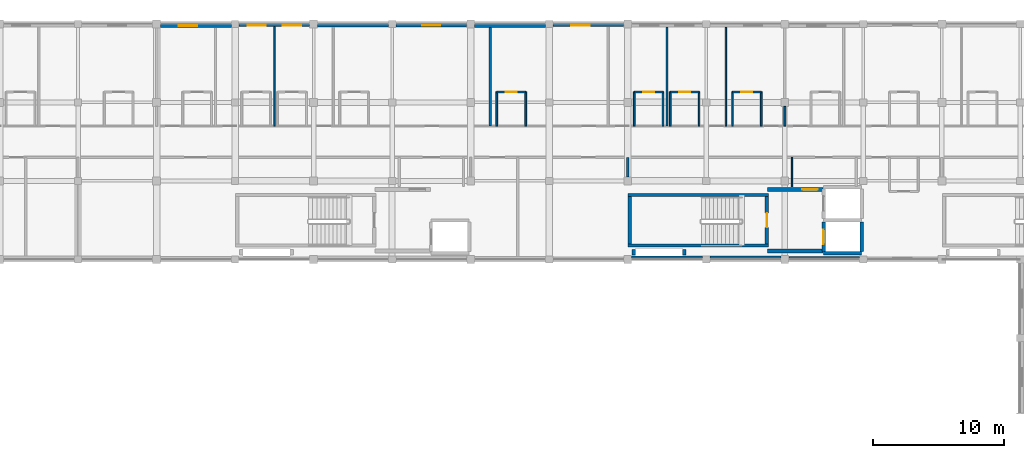
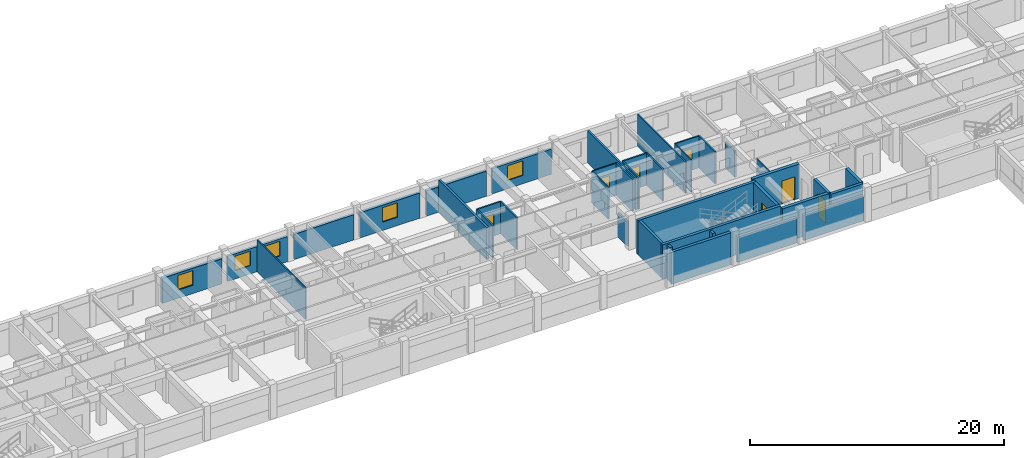
# One storey, part 13 of 21: 39 walls, 7 doors, 5 windows, 12 openings.
"""IFC4 building model written with IfcOpenShell, lengths in metres."""

from ifc_helpers import new_model, si_unit, direction, frame, frame_2d, origin, place, context, subcontext, project, spatial, rectangle, extrude, material, layer, layer_set, type_object, element, fill, save


model = new_model("IFC4")

# Units and contexts
model_context = context("Model", 3, precision=1e-05, world=origin(), true_north=direction((0.0, 1.0)))
body_context = subcontext(model_context, "Body", "Model", "MODEL_VIEW")
ifc_project = project(units=[si_unit("LENGTHUNIT", "METRE"), si_unit("AREAUNIT", "SQUARE_METRE"), si_unit("VOLUMEUNIT", "CUBIC_METRE"), si_unit("PLANEANGLEUNIT", "RADIAN"), si_unit("MASSUNIT", "GRAM", prefix="KILO"), si_unit("THERMODYNAMICTEMPERATUREUNIT", "KELVIN"), si_unit("POWERUNIT", "WATT")], contexts=[model_context])

# Site, building, storey
site_placement = place(None, origin())
site = spatial("IfcSite", under=ifc_project, at=site_placement, CompositionType="ELEMENT")
building_placement = place(site_placement, origin())
building = spatial("IfcBuilding", under=site, at=building_placement, Name="Phaisarnlok Congress Hotel", CompositionType="ELEMENT")
storey_placement = place(building_placement, frame((0.0, 0.0, 31.5)))
storey = spatial("IfcBuildingStorey", under=building, at=storey_placement, Name="L07", CompositionType="ELEMENT", Elevation=31.5)

# Wall, opening, window
ifc_material_1 = material(Name="Concrete C40/50", Category="concrete")
ifc_layer_1 = layer(ifc_material_1, 0.2099609375, Name="Concrete C40/50")
ifc_layer_set_1 = layer_set([ifc_layer_1], Name="Concrete C40/50")
wall_type_1 = type_object("IfcWallType", Name="WL-EXT-210", PredefinedType="SOLIDWALL", material=ifc_layer_set_1)
wall_1_placement = place(storey_placement, frame((131.695068359375, 125.89501953125, 0.0), z_axis=(0.0, 0.0, 1.0), x_axis=(-1.0, 0.0, 0.0)))
wall_1 = element("IfcWall", 1, at=wall_1_placement, inside=storey, type_object=wall_type_1, Name="Exterior wall EW-07 (L07)", PredefinedType="SOLIDWALL", context=body_context, shape_type="SweptSolid", body=[
    extrude(rectangle(XDim=5.4150390625, YDim=0.2099609375, at=frame_2d((2.70751953125, 0.0))), origin(), (0.0, 0.0, 1.0), 2.419921875),
])
opening_1_placement = place(wall_1_placement, frame((2.594970703125, 0.0, 0.800048828125)))
opening_1 = element("IfcOpeningElement", 2, at=opening_1_placement, cuts=wall_1, Name="Opening W-13", PredefinedType="OPENING", context=body_context, shape_type="SweptSolid", body=[
    extrude(rectangle(XDim=1.39990234375, YDim=1.39990234375, at=frame_2d((0.699951171875, 0.699951171875))), frame((0.0, 0.114990234375, 0.0), z_axis=(0.0, -1.0, 0.0), x_axis=(1.0, 0.0, 0.0)), (0.0, 0.0, 1.0), 0.22998046875),
])
ifc_material_2 = material(Name="Thermally Broken Aluminium & Low-E Double Glazing", Category="aluminium")
window_type = type_object("IfcWindowType", Name="WIN-POD-1400", PartitioningType="SINGLE_PANEL", PredefinedType="WINDOW", material=ifc_material_2)
window_1_placement = place(opening_1_placement, origin())
window_1 = element("IfcWindow", 3, at=window_1_placement, inside=storey, type_object=window_type, Name="Guestroom window W-13 (L07)", OverallHeight=1.39990234375, OverallWidth=1.39990234375, PartitioningType="SINGLE_PANEL", PredefinedType="WINDOW", context=body_context, shape_type="SweptSolid", body=[
    extrude(rectangle(XDim=1.39990234375, YDim=1.39990234375, at=frame_2d((0.699951171875, 0.699951171875))), frame((0.0, 0.030029296875, 0.0), z_axis=(0.0, -1.0, 0.0), x_axis=(1.0, 0.0, 0.0)), (0.0, 0.0, 1.0), 0.06005859375),
])
fill(opening_1, window_1)

# Wall, openings, windows
wall_2_placement = place(storey_placement, frame((107.695068359375, 125.89501953125, 0.0), z_axis=(0.0, 0.0, 1.0), x_axis=(-1.0, 0.0, 0.0)))
wall_2 = element("IfcWall", 4, at=wall_2_placement, inside=storey, type_object=wall_type_1, Name="Exterior wall EW-07 (L07)", PredefinedType="SOLIDWALL", context=body_context, shape_type="SweptSolid", body=[
    extrude(rectangle(XDim=5.4150390625, YDim=0.2099609375, at=frame_2d((2.70751953125, 0.0))), origin(), (0.0, 0.0, 1.0), 2.419921875),
])
opening_2_placement = place(wall_2_placement, frame((3.344970703125, 0.0, 0.800048828125)))
opening_2 = element("IfcOpeningElement", 5, at=opening_2_placement, cuts=wall_2, Name="Opening W-13", PredefinedType="OPENING", context=body_context, shape_type="SweptSolid", body=[
    extrude(rectangle(XDim=1.39990234375, YDim=1.39990234375, at=frame_2d((0.699951171875, 0.699951171875))), frame((0.0, 0.114990234375, 0.0), z_axis=(0.0, -1.0, 0.0), x_axis=(1.0, 0.0, 0.0)), (0.0, 0.0, 1.0), 0.22998046875),
])
opening_3_placement = place(wall_2_placement, frame((0.656982421875, 0.0, 0.800048828125)))
opening_3 = element("IfcOpeningElement", 6, at=opening_3_placement, cuts=wall_2, Name="Opening W-13", PredefinedType="OPENING", context=body_context, shape_type="SweptSolid", body=[
    extrude(rectangle(XDim=1.39990234375, YDim=1.39990234375, at=frame_2d((0.699951171875, 0.699951171875))), frame((0.0, 0.114990234375, 0.0), z_axis=(0.0, -1.0, 0.0), x_axis=(1.0, 0.0, 0.0)), (0.0, 0.0, 1.0), 0.22998046875),
])
window_2_placement = place(opening_2_placement, origin())
window_2 = element("IfcWindow", 7, at=window_2_placement, inside=storey, type_object=window_type, Name="Guestroom window W-13 (L07)", OverallHeight=1.39990234375, OverallWidth=1.39990234375, PartitioningType="SINGLE_PANEL", PredefinedType="WINDOW", context=body_context, shape_type="SweptSolid", body=[
    extrude(rectangle(XDim=1.39990234375, YDim=1.39990234375, at=frame_2d((0.699951171875, 0.699951171875))), frame((0.0, 0.030029296875, 0.0), z_axis=(0.0, -1.0, 0.0), x_axis=(1.0, 0.0, 0.0)), (0.0, 0.0, 1.0), 0.06005859375),
])
fill(opening_2, window_2)
window_3_placement = place(opening_3_placement, origin())
window_3 = element("IfcWindow", 8, at=window_3_placement, inside=storey, type_object=window_type, Name="Guestroom window W-13 (L07)", OverallHeight=1.39990234375, OverallWidth=1.39990234375, PartitioningType="SINGLE_PANEL", PredefinedType="WINDOW", context=body_context, shape_type="SweptSolid", body=[
    extrude(rectangle(XDim=1.39990234375, YDim=1.39990234375, at=frame_2d((0.699951171875, 0.699951171875))), frame((0.0, 0.030029296875, 0.0), z_axis=(0.0, -1.0, 0.0), x_axis=(1.0, 0.0, 0.0)), (0.0, 0.0, 1.0), 0.06005859375),
])
fill(opening_3, window_3)

# Walls
ifc_layer_2 = layer(ifc_material_1, 0.22998046875, Name="Concrete C40/50")
ifc_layer_set_2 = layer_set([ifc_layer_2], Name="Concrete C40/50")
wall_type_2 = type_object("IfcWallType", Name="WL-EXT-230", PredefinedType="SOLIDWALL", material=ifc_layer_set_2)
for number, where, z_axis, x_axis, name in (
    (9, (113.719970703125, 125.885009765625, 0.0), (0.0, 0.0, 1.0), (-1.0, 0.0, 0.0), "Exterior wall EW-06 (L07)"),
    (10, (144.304931640625, 108.114990234375, 0.0), (0.0, 0.0, 1.0), (1.0, 0.0, 0.0), "Exterior wall EW-06 (L07)"),
):
    element("IfcWall", number, at=place(storey_placement, frame(where, z_axis=z_axis, x_axis=x_axis)), inside=storey, type_object=wall_type_2, Name=name, PredefinedType="SOLIDWALL", context=body_context, shape_type="SweptSolid", body=[
        extrude(rectangle(XDim=5.4150390625, YDim=0.22998046875, at=frame_2d((2.70751953125, 0.0))), origin(), (0.0, 0.0, 1.0), 2.419921875),
    ])

# Wall, opening, window
ifc_layer_3 = layer(ifc_material_1, 0.25, Name="Concrete C40/50")
ifc_layer_set_3 = layer_set([ifc_layer_3], Name="Concrete C40/50")
wall_type_3 = type_object("IfcWallType", Name="WL-EXT-250", PredefinedType="SOLIDWALL", material=ifc_layer_set_3)
wall_3_placement = place(storey_placement, frame((119.695068359375, 125.875, 0.0), z_axis=(0.0, 0.0, 1.0), x_axis=(-1.0, 0.0, 0.0)))
wall_3 = element("IfcWall", 11, at=wall_3_placement, inside=storey, type_object=wall_type_3, Name="Exterior wall EW-05 (L07)", PredefinedType="SOLIDWALL", context=body_context, shape_type="SweptSolid", body=[
    extrude(rectangle(XDim=5.4150390625, YDim=0.25, at=frame_2d((2.70751953125, 0.0))), origin(), (0.0, 0.0, 1.0), 2.419921875),
])
opening_4_placement = place(wall_3_placement, frame((2.007080078125, 0.0, 0.800048828125)))
opening_4 = element("IfcOpeningElement", 12, at=opening_4_placement, cuts=wall_3, Name="Opening W-13", PredefinedType="OPENING", context=body_context, shape_type="SweptSolid", body=[
    extrude(rectangle(XDim=1.39990234375, YDim=1.39990234375, at=frame_2d((0.699951171875, 0.699951171875))), frame((0.0, 0.135009765625, 0.0), z_axis=(0.0, -1.0, 0.0), x_axis=(1.0, 0.0, 0.0)), (0.0, 0.0, 1.0), 0.27001953125),
])
window_4_placement = place(opening_4_placement, origin())
window_4 = element("IfcWindow", 13, at=window_4_placement, inside=storey, type_object=window_type, Name="Guestroom window W-13 (L07)", OverallHeight=1.39990234375, OverallWidth=1.39990234375, PartitioningType="SINGLE_PANEL", PredefinedType="WINDOW", context=body_context, shape_type="SweptSolid", body=[
    extrude(rectangle(XDim=1.39990234375, YDim=1.39990234375, at=frame_2d((0.699951171875, 0.699951171875))), frame((0.0, 0.030029296875, 0.0), z_axis=(0.0, -1.0, 0.0), x_axis=(1.0, 0.0, 0.0)), (0.0, 0.0, 1.0), 0.06005859375),
])
fill(opening_4, window_4)

# Walls
wall_4_placement = place(storey_placement, frame((138.280029296875, 108.125, 0.0), z_axis=(0.0, 0.0, 1.0), x_axis=(1.0, 0.0, 0.0)))
element("IfcWall", 14, at=wall_4_placement, inside=storey, type_object=wall_type_3, Name="Exterior wall EW-05 (L07)", PredefinedType="SOLIDWALL", context=body_context, shape_type="SweptSolid", body=[
    extrude(rectangle(XDim=5.4150390625, YDim=0.25, at=frame_2d((2.70751953125, 0.0))), origin(), (0.0, 0.0, 1.0), 2.419921875),
])
ifc_layer_4 = layer(ifc_material_1, 0.27001953125, Name="Concrete C40/50")
ifc_layer_set_4 = layer_set([ifc_layer_4], Name="Concrete C40/50")
wall_type_4 = type_object("IfcWallType", Name="WL-EXT-270", PredefinedType="SOLIDWALL", material=ifc_layer_set_4)
wall_5_placement = place(storey_placement, frame((125.719970703125, 125.864990234375, 0.0), z_axis=(0.0, 0.0, 1.0), x_axis=(-1.0, 0.0, 0.0)))
element("IfcWall", 15, at=wall_5_placement, inside=storey, type_object=wall_type_4, Name="Exterior wall EW-04 (L07)", PredefinedType="SOLIDWALL", context=body_context, shape_type="SweptSolid", body=[
    extrude(rectangle(XDim=5.4150390625, YDim=0.27001953125, at=frame_2d((2.70751953125, 0.0))), origin(), (0.0, 0.0, 1.0), 2.419921875),
])

# Wall, opening, window
wall_6_placement = place(storey_placement, frame((101.719970703125, 125.864990234375, 0.0), z_axis=(0.0, 0.0, 1.0), x_axis=(-1.0, 0.0, 0.0)))
wall_6 = element("IfcWall", 16, at=wall_6_placement, inside=storey, type_object=wall_type_4, Name="Exterior wall EW-04 (L07)", PredefinedType="SOLIDWALL", context=body_context, shape_type="SweptSolid", body=[
    extrude(rectangle(XDim=5.4150390625, YDim=0.27001953125, at=frame_2d((2.70751953125, 0.0))), origin(), (0.0, 0.0, 1.0), 2.419921875),
])
opening_5_placement = place(wall_6_placement, frame((2.60791015625, 0.0, 0.800048828125)))
opening_5 = element("IfcOpeningElement", 17, at=opening_5_placement, cuts=wall_6, Name="Opening W-13", PredefinedType="OPENING", context=body_context, shape_type="SweptSolid", body=[
    extrude(rectangle(XDim=1.39990234375, YDim=1.39990234375, at=frame_2d((0.699951171875, 0.699951171875))), frame((0.0, 0.14501953125, 0.0), z_axis=(0.0, -1.0, 0.0), x_axis=(1.0, 0.0, 0.0)), (0.0, 0.0, 1.0), 0.2900390625),
])
window_5_placement = place(opening_5_placement, origin())
window_5 = element("IfcWindow", 18, at=window_5_placement, inside=storey, type_object=window_type, Name="Guestroom window W-13 (L07)", OverallHeight=1.39990234375, OverallWidth=1.39990234375, PartitioningType="SINGLE_PANEL", PredefinedType="WINDOW", context=body_context, shape_type="SweptSolid", body=[
    extrude(rectangle(XDim=1.39990234375, YDim=1.39990234375, at=frame_2d((0.699951171875, 0.699951171875))), frame((0.0, 0.030029296875, 0.0), z_axis=(0.0, -1.0, 0.0), x_axis=(1.0, 0.0, 0.0)), (0.0, 0.0, 1.0), 0.06005859375),
])
fill(opening_5, window_5)

# Walls
wall_7_placement = place(storey_placement, frame((132.304931640625, 108.135009765625, 0.0), z_axis=(0.0, 0.0, 1.0), x_axis=(1.0, 0.0, 0.0)))
element("IfcWall", 19, at=wall_7_placement, inside=storey, type_object=wall_type_4, Name="Exterior wall EW-04 (L07)", PredefinedType="SOLIDWALL", context=body_context, shape_type="SweptSolid", body=[
    extrude(rectangle(XDim=5.4150390625, YDim=0.27001953125, at=frame_2d((2.70751953125, 0.0))), origin(), (0.0, 0.0, 1.0), 3.070068359375),
])
ifc_material_3 = material(Name="Service Riser Shaftwall Partition", Category="gypsum")
ifc_layer_5 = layer(ifc_material_3, 0.10498046875, Name="Service Riser Shaftwall Partition")
ifc_layer_set_5 = layer_set([ifc_layer_5], Name="Service Riser Shaftwall Partition")
wall_type_5 = type_object("IfcWallType", Name="WL-INT-105", PredefinedType="PARTITIONING", material=ifc_layer_set_5)
wall_8_placement = place(storey_placement, frame((105.0, 118.199951171875, 0.0), z_axis=(0.0, 0.0, 1.0), x_axis=(0.0, 1.0, 0.0)))
element("IfcWall", 20, at=wall_8_placement, inside=storey, type_object=wall_type_5, Name="Interior partition wall IW-08 (L07)", PredefinedType="PARTITIONING", context=body_context, shape_type="SweptSolid", body=[
    extrude(rectangle(XDim=7.5849609375, YDim=0.10498046875, at=frame_2d((3.79248046875, 0.0))), origin(), (0.0, 0.0, 1.0), 3.070068359375),
])
wall_9_placement = place(storey_placement, frame((139.5, 118.199951171875, 0.0), z_axis=(0.0, 0.0, 1.0), x_axis=(0.0, 1.0, 0.0)))
element("IfcWall", 21, at=wall_9_placement, inside=storey, type_object=wall_type_5, Name="Interior partition wall IW-08 (L07)", PredefinedType="PARTITIONING", context=body_context, shape_type="SweptSolid", body=[
    extrude(rectangle(XDim=7.545166015625, YDim=0.10498046875, at=frame_2d((3.7724609375, 0.0))), origin(), (0.0, 0.0, 1.0), 3.070068359375),
])
wall_10_placement = place(storey_placement, frame((144.550048828125, 113.56005859375, 0.0), z_axis=(0.0, 0.0, 1.0), x_axis=(0.0, 1.0, 0.0)))
element("IfcWall", 22, at=wall_10_placement, inside=storey, type_object=wall_type_5, Name="Interior partition wall IW-08 (L07)", PredefinedType="PARTITIONING", context=body_context, shape_type="SweptSolid", body=[
    extrude(rectangle(XDim=2.239990234375, YDim=0.10498046875, at=frame_2d((1.1201171875, 0.0))), origin(), (0.0, 0.0, 1.0), 3.070068359375),
])
ifc_material_4 = material(Name="Lightweight Metal-Stud Gypsum Partition", Category="gypsum")
ifc_layer_6 = layer(ifc_material_4, 0.1201171875, Name="Lightweight Metal-Stud Gypsum Partition")
ifc_layer_set_6 = layer_set([ifc_layer_6], Name="Lightweight Metal-Stud Gypsum Partition")
wall_type_6 = type_object("IfcWallType", Name="WL-INT-120", PredefinedType="PARTITIONING", material=ifc_layer_set_6)
for number, where, z_axis, x_axis, name in (
    (23, (132.5, 118.199951171875, 0.0), (0.0, 0.0, 1.0), (0.0, 1.0, 0.0), "Interior partition wall IW-07 (L07)"),
    (24, (137.449951171875, 118.199951171875, 0.0), (0.0, 0.0, 1.0), (0.0, 1.0, 0.0), "Interior partition wall IW-07 (L07)"),
    (25, (140.0, 118.199951171875, 0.0), (0.0, 0.0, 1.0), (0.0, 1.0, 0.0), "Interior partition wall IW-07 (L07)"),
):
    element("IfcWall", number, at=place(storey_placement, frame(where, z_axis=z_axis, x_axis=x_axis)), inside=storey, type_object=wall_type_6, Name=name, PredefinedType="PARTITIONING", context=body_context, shape_type="SweptSolid", body=[
        extrude(rectangle(XDim=2.60009765625, YDim=0.1201171875, at=frame_2d((1.300048828125, 0.0))), origin(), (0.0, 0.0, 1.0), 3.070068359375),
    ])

# Wall, opening, door
wall_11_placement = place(storey_placement, frame((132.5, 120.800048828125, 0.0), z_axis=(0.0, 0.0, 1.0), x_axis=(1.0, 0.0, 0.0)))
wall_11 = element("IfcWall", 26, at=wall_11_placement, inside=storey, type_object=wall_type_6, Name="Interior partition wall IW-07 (L07)", PredefinedType="PARTITIONING", context=body_context, shape_type="SweptSolid", body=[
    extrude(rectangle(XDim=2.199951171875, YDim=0.1201171875, at=frame_2d((1.10009765625, 0.0))), origin(), (0.0, 0.0, 1.0), 3.070068359375),
])
opening_6_placement = place(wall_11_placement, frame((0.675048828125, 0.0, 0.0)))
opening_6 = element("IfcOpeningElement", 27, at=opening_6_placement, cuts=wall_11, Name="Opening D-0341", PredefinedType="OPENING", context=body_context, shape_type="SweptSolid", body=[
    extrude(rectangle(XDim=0.85009765625, YDim=2.10009765625, at=frame_2d((0.425048828125, 1.050048828125))), frame((0.0, 0.070068359375, 0.0), z_axis=(0.0, -1.0, 0.0), x_axis=(1.0, 0.0, 0.0)), (0.0, 0.0, 1.0), 0.14013671875),
])
ifc_material_5 = material(Name="Moisture-Resistant Lacquered Timber", Category="wood")
door_type_1 = type_object("IfcDoorType", Name="DR-BATH-850", OperationType="NOTDEFINED", PredefinedType="DOOR", material=ifc_material_5)
door_1_placement = place(opening_6_placement, origin())
door_1 = element("IfcDoor", 28, at=door_1_placement, inside=storey, type_object=door_type_1, Name="Interior door D-0341 (L07)", OperationType="SINGLE_SWING_LEFT", OverallHeight=2.10009765625, OverallWidth=0.85009765625, PredefinedType="DOOR", context=body_context, shape_type="SweptSolid", body=[
    extrude(rectangle(XDim=0.85009765625, YDim=2.10009765625, at=frame_2d((0.425048828125, 1.050048828125))), frame((0.0, 0.02490234375, 0.0), z_axis=(0.0, -1.0, 0.0), x_axis=(1.0, 0.0, 0.0)), (0.0, 0.0, 1.0), 0.050048828125),
])
fill(opening_6, door_1)

wall_12_placement = place(storey_placement, frame((140.0, 120.800048828125, 0.0), z_axis=(0.0, 0.0, 1.0), x_axis=(1.0, 0.0, 0.0)))
wall_12 = element("IfcWall", 29, at=wall_12_placement, inside=storey, type_object=wall_type_6, Name="Interior partition wall IW-07 (L07)", PredefinedType="PARTITIONING", context=body_context, shape_type="SweptSolid", body=[
    extrude(rectangle(XDim=2.199951171875, YDim=0.1201171875, at=frame_2d((1.10009765625, 0.0))), origin(), (0.0, 0.0, 1.0), 3.070068359375),
])
opening_7_placement = place(wall_12_placement, frame((0.675048828125, 0.0, 0.0)))
opening_7 = element("IfcOpeningElement", 30, at=opening_7_placement, cuts=wall_12, Name="Opening D-0345", PredefinedType="OPENING", context=body_context, shape_type="SweptSolid", body=[
    extrude(rectangle(XDim=0.85009765625, YDim=2.10009765625, at=frame_2d((0.425048828125, 1.050048828125))), frame((0.0, 0.070068359375, 0.0), z_axis=(0.0, -1.0, 0.0), x_axis=(1.0, 0.0, 0.0)), (0.0, 0.0, 1.0), 0.14013671875),
])
door_2_placement = place(opening_7_placement, origin())
door_2 = element("IfcDoor", 31, at=door_2_placement, inside=storey, type_object=door_type_1, Name="Interior door D-0345 (L07)", OperationType="SINGLE_SWING_LEFT", OverallHeight=2.10009765625, OverallWidth=0.85009765625, PredefinedType="DOOR", context=body_context, shape_type="SweptSolid", body=[
    extrude(rectangle(XDim=0.85009765625, YDim=2.10009765625, at=frame_2d((0.425048828125, 1.050048828125))), frame((0.0, 0.02490234375, 0.0), z_axis=(0.0, -1.0, 0.0), x_axis=(1.0, 0.0, 0.0)), (0.0, 0.0, 1.0), 0.050048828125),
])
fill(opening_7, door_2)

# Walls
ifc_material_6 = material(Name="Moisture-Resistant Gypsum Partition", Category="gypsum")
ifc_layer_7 = layer(ifc_material_6, 0.135009765625, Name="Moisture-Resistant Gypsum Partition")
ifc_layer_set_7 = layer_set([ifc_layer_7], Name="Moisture-Resistant Gypsum Partition")
wall_type_7 = type_object("IfcWallType", Name="WL-INT-135", PredefinedType="PARTITIONING", material=ifc_layer_set_7)
for number, where, z_axis, x_axis, name in (
    (32, (122.0, 118.199951171875, 0.0), (0.0, 0.0, 1.0), (0.0, 1.0, 0.0), "Interior partition wall IW-06 (L07)"),
    (33, (124.199951171875, 118.199951171875, 0.0), (0.0, 0.0, 1.0), (0.0, 1.0, 0.0), "Interior partition wall IW-06 (L07)"),
    (34, (134.699951171875, 118.199951171875, 0.0), (0.0, 0.0, 1.0), (0.0, 1.0, 0.0), "Interior partition wall IW-06 (L07)"),
    (35, (135.25, 118.199951171875, 0.0), (0.0, 0.0, 1.0), (0.0, 1.0, 0.0), "Interior partition wall IW-06 (L07)"),
    (36, (142.199951171875, 118.199951171875, 0.0), (0.0, 0.0, 1.0), (0.0, 1.0, 0.0), "Interior partition wall IW-06 (L07)"),
):
    element("IfcWall", number, at=place(storey_placement, frame(where, z_axis=z_axis, x_axis=x_axis)), inside=storey, type_object=wall_type_7, Name=name, PredefinedType="PARTITIONING", context=body_context, shape_type="SweptSolid", body=[
        extrude(rectangle(XDim=2.60009765625, YDim=0.135009765625, at=frame_2d((1.300048828125, 0.0))), origin(), (0.0, 0.0, 1.0), 3.070068359375),
    ])

# Wall, opening, door
wall_13_placement = place(storey_placement, frame((122.0, 120.800048828125, 0.0), z_axis=(0.0, 0.0, 1.0), x_axis=(1.0, 0.0, 0.0)))
wall_13 = element("IfcWall", 37, at=wall_13_placement, inside=storey, type_object=wall_type_7, Name="Interior partition wall IW-06 (L07)", PredefinedType="PARTITIONING", context=body_context, shape_type="SweptSolid", body=[
    extrude(rectangle(XDim=2.199951171875, YDim=0.135009765625, at=frame_2d((1.10009765625, 0.0))), origin(), (0.0, 0.0, 1.0), 3.070068359375),
])
opening_8_placement = place(wall_13_placement, frame((0.675048828125, 0.0, 0.0)))
opening_8 = element("IfcOpeningElement", 38, at=opening_8_placement, cuts=wall_13, Name="Opening D-0339", PredefinedType="OPENING", context=body_context, shape_type="SweptSolid", body=[
    extrude(rectangle(XDim=0.85009765625, YDim=2.10009765625, at=frame_2d((0.425048828125, 1.050048828125))), frame((0.0, 0.07763671875, 0.0), z_axis=(0.0, -1.0, 0.0), x_axis=(1.0, 0.0, 0.0)), (0.0, 0.0, 1.0), 0.155029296875),
])
door_3_placement = place(opening_8_placement, origin())
door_3 = element("IfcDoor", 39, at=door_3_placement, inside=storey, type_object=door_type_1, Name="Interior door D-0339 (L07)", OperationType="SINGLE_SWING_LEFT", OverallHeight=2.10009765625, OverallWidth=0.85009765625, PredefinedType="DOOR", context=body_context, shape_type="SweptSolid", body=[
    extrude(rectangle(XDim=0.85009765625, YDim=2.10009765625, at=frame_2d((0.425048828125, 1.050048828125))), frame((0.0, 0.02490234375, 0.0), z_axis=(0.0, -1.0, 0.0), x_axis=(1.0, 0.0, 0.0)), (0.0, 0.0, 1.0), 0.050048828125),
])
fill(opening_8, door_3)

wall_14_placement = place(storey_placement, frame((135.25, 120.800048828125, 0.0), z_axis=(0.0, 0.0, 1.0), x_axis=(1.0, 0.0, 0.0)))
wall_14 = element("IfcWall", 40, at=wall_14_placement, inside=storey, type_object=wall_type_7, Name="Interior partition wall IW-06 (L07)", PredefinedType="PARTITIONING", context=body_context, shape_type="SweptSolid", body=[
    extrude(rectangle(XDim=2.199951171875, YDim=0.135009765625, at=frame_2d((1.10009765625, 0.0))), origin(), (0.0, 0.0, 1.0), 3.070068359375),
])
opening_9_placement = place(wall_14_placement, frame((0.675048828125, 0.0, 0.0)))
opening_9 = element("IfcOpeningElement", 41, at=opening_9_placement, cuts=wall_14, Name="Opening D-0343", PredefinedType="OPENING", context=body_context, shape_type="SweptSolid", body=[
    extrude(rectangle(XDim=0.85009765625, YDim=2.10009765625, at=frame_2d((0.425048828125, 1.050048828125))), frame((0.0, 0.07763671875, 0.0), z_axis=(0.0, -1.0, 0.0), x_axis=(1.0, 0.0, 0.0)), (0.0, 0.0, 1.0), 0.155029296875),
])
door_4_placement = place(opening_9_placement, origin())
door_4 = element("IfcDoor", 42, at=door_4_placement, inside=storey, type_object=door_type_1, Name="Interior door D-0343 (L07)", OperationType="SINGLE_SWING_LEFT", OverallHeight=2.10009765625, OverallWidth=0.85009765625, PredefinedType="DOOR", context=body_context, shape_type="SweptSolid", body=[
    extrude(rectangle(XDim=0.85009765625, YDim=2.10009765625, at=frame_2d((0.425048828125, 1.050048828125))), frame((0.0, 0.02490234375, 0.0), z_axis=(0.0, -1.0, 0.0), x_axis=(1.0, 0.0, 0.0)), (0.0, 0.0, 1.0), 0.050048828125),
])
fill(opening_9, door_4)

# Walls
ifc_material_7 = material(Name="Acoustic Gypsum Board & Mineral Wool", Category="gypsum")
ifc_layer_8 = layer(ifc_material_7, 0.14990234375, Name="Acoustic Gypsum Board & Mineral Wool")
ifc_layer_set_8 = layer_set([ifc_layer_8], Name="Acoustic Gypsum Board & Mineral Wool")
wall_type_8 = type_object("IfcWallType", Name="WL-INT-150", PredefinedType="PARTITIONING", material=ifc_layer_set_8)
wall_15_placement = place(storey_placement, frame((144.0, 118.199951171875, 0.0), z_axis=(0.0, 0.0, 1.0), x_axis=(0.0, 1.0, 0.0)))
element("IfcWall", 43, at=wall_15_placement, inside=storey, type_object=wall_type_8, Name="Interior partition wall IW-05 (L07)", PredefinedType="PARTITIONING", context=body_context, shape_type="SweptSolid", body=[
    extrude(rectangle(XDim=1.4951171875, YDim=0.14990234375, at=frame_2d((0.74755859375, 0.0))), origin(), (0.0, 0.0, 1.0), 2.52001953125),
])
ifc_material_8 = material(Name="Double-Stud Acoustic Gypsum Partition", Category="gypsum")
ifc_layer_9 = layer(ifc_material_8, 0.159912109375, Name="Double-Stud Acoustic Gypsum Partition")
ifc_layer_set_9 = layer_set([ifc_layer_9], Name="Double-Stud Acoustic Gypsum Partition")
wall_type_9 = type_object("IfcWallType", Name="WL-INT-160", PredefinedType="PARTITIONING", material=ifc_layer_set_9)
wall_16_placement = place(storey_placement, frame((135.0, 118.199951171875, 0.0), z_axis=(0.0, 0.0, 1.0), x_axis=(0.0, 1.0, 0.0)))
element("IfcWall", 44, at=wall_16_placement, inside=storey, type_object=wall_type_9, Name="Interior partition wall IW-04 (L07)", PredefinedType="PARTITIONING", context=body_context, shape_type="SweptSolid", body=[
    extrude(rectangle(XDim=7.56494140625, YDim=0.159912109375, at=frame_2d((3.782470703125, 0.0))), origin(), (0.0, 0.0, 1.0), 3.070068359375),
])
ifc_material_9 = material(Name="Autoclaved Aerated Concrete Block", Category="concrete")
ifc_layer_10 = layer(ifc_material_9, 0.199951171875, Name="Autoclaved Aerated Concrete Block")
ifc_layer_set_10 = layer_set([ifc_layer_10], Name="Autoclaved Aerated Concrete Block")
wall_type_10 = type_object("IfcWallType", Name="WL-INT-200", PredefinedType="PARTITIONING", material=ifc_layer_set_10)
wall_17_placement = place(storey_placement, frame((121.5, 118.199951171875, 0.0), z_axis=(0.0, 0.0, 1.0), x_axis=(0.0, 1.0, 0.0)))
element("IfcWall", 45, at=wall_17_placement, inside=storey, type_object=wall_type_10, Name="Interior partition wall IW-02 (L07)", PredefinedType="PARTITIONING", context=body_context, shape_type="SweptSolid", body=[
    extrude(rectangle(XDim=7.525146484375, YDim=0.199951171875, at=frame_2d((3.7626953125, 0.0))), origin(), (0.0, 0.0, 1.0), 3.070068359375),
])
wall_18_placement = place(storey_placement, frame((132.0, 114.304931640625, 0.0), z_axis=(0.0, 0.0, 1.0), x_axis=(0.0, 1.0, 0.0)))
element("IfcWall", 46, at=wall_18_placement, inside=storey, type_object=wall_type_10, Name="Interior partition wall IW-02 (L07)", PredefinedType="PARTITIONING", context=body_context, shape_type="SweptSolid", body=[
    extrude(rectangle(XDim=1.4951171875, YDim=0.199951171875, at=frame_2d((0.74755859375, 0.0))), origin(), (0.0, 0.0, 1.0), 2.27001953125),
])
ifc_material_10 = material(Name="Concrete C50/60", Category="concrete")
ifc_layer_11 = layer(ifc_material_10, 0.260009765625, Name="Concrete C50/60")
ifc_layer_set_11 = layer_set([ifc_layer_11], Name="Concrete C50/60")
wall_type_11 = type_object("IfcWallType", Name="WL-SHR-260", PredefinedType="SHEAR", material=ifc_layer_set_11)
for number, where, z_axis, x_axis, name in (
    (47, (132.0400390625, 109.070068359375, 0.0), (0.0, 0.0, 1.0), (1.0, 0.0, 0.0), "Stair shaft shear wall SW-04 (CORE-2 L07)"),
    (48, (132.0400390625, 112.929931640625, 0.0), (0.0, 0.0, 1.0), (1.0, 0.0, 0.0), "Stair shaft shear wall SW-04 (CORE-2 L07)"),
):
    element("IfcWall", number, at=place(storey_placement, frame(where, z_axis=z_axis, x_axis=x_axis)), inside=storey, type_object=wall_type_11, Name=name, PredefinedType="SHEAR", context=body_context, shape_type="SweptSolid", body=[
        extrude(rectangle(XDim=10.719970703125, YDim=0.260009765625, at=frame_2d((5.35986328125, 0.0))), origin(), (0.0, 0.0, 1.0), 3.300048828125),
    ])
wall_19_placement = place(storey_placement, frame((132.169921875, 109.199951171875, 0.0), z_axis=(0.0, 0.0, 1.0), x_axis=(0.0, 1.0, 0.0)))
element("IfcWall", 49, at=wall_19_placement, inside=storey, type_object=wall_type_11, Name="Stair shaft shear wall SW-04 (CORE-2 L07)", PredefinedType="SHEAR", context=body_context, shape_type="SweptSolid", body=[
    extrude(rectangle(XDim=3.60009765625, YDim=0.260009765625, at=frame_2d((1.800048828125, 0.0))), origin(), (0.0, 0.0, 1.0), 3.300048828125),
])

# Wall, opening, door
wall_20_placement = place(storey_placement, frame((142.6298828125, 109.199951171875, 0.0), z_axis=(0.0, 0.0, 1.0), x_axis=(0.0, 1.0, 0.0)))
wall_20 = element("IfcWall", 50, at=wall_20_placement, inside=storey, type_object=wall_type_11, Name="Stair shaft shear wall SW-04 (CORE-2 L07)", PredefinedType="SHEAR", context=body_context, shape_type="SweptSolid", body=[
    extrude(rectangle(XDim=3.60009765625, YDim=0.260009765625, at=frame_2d((1.800048828125, 0.0))), origin(), (0.0, 0.0, 1.0), 3.300048828125),
])
opening_10_placement = place(wall_20_placement, frame((1.25, 0.0, 0.0)))
opening_10 = element("IfcOpeningElement", 51, at=opening_10_placement, cuts=wall_20, Name="Opening FD-039", PredefinedType="OPENING", context=body_context, shape_type="SweptSolid", body=[
    extrude(rectangle(XDim=1.10009765625, YDim=2.14990234375, at=frame_2d((0.550048828125, 1.074951171875))), frame((0.0, 0.14013671875, 0.0), z_axis=(0.0, -1.0, 0.0), x_axis=(1.0, 0.0, 0.0)), (0.0, 0.0, 1.0), 0.280029296875),
])
ifc_material_11 = material(Name="Fire-Rated Steel Frame & Timber Leaf", Category="steel")
door_type_2 = type_object("IfcDoorType", Name="DR-FD60-1100", OperationType="NOTDEFINED", PredefinedType="DOOR", material=ifc_material_11)
door_5_placement = place(opening_10_placement, origin())
door_5 = element("IfcDoor", 52, at=door_5_placement, inside=storey, type_object=door_type_2, Name="Stair enclosure fire door FD-039 (L07)", OperationType="SINGLE_SWING_RIGHT", OverallHeight=2.14990234375, OverallWidth=1.10009765625, PredefinedType="DOOR", context=body_context, shape_type="SweptSolid", body=[
    extrude(rectangle(XDim=1.10009765625, YDim=2.14990234375, at=frame_2d((0.550048828125, 1.074951171875))), frame((0.0, 0.02490234375, 0.0), z_axis=(0.0, -1.0, 0.0), x_axis=(1.0, 0.0, 0.0)), (0.0, 0.0, 1.0), 0.050048828125),
])
fill(opening_10, door_5)

# Walls
wall_21_placement = place(storey_placement, frame((146.969970703125, 108.469970703125, 0.0), z_axis=(0.0, 0.0, 1.0), x_axis=(1.0, 0.0, 0.0)))
element("IfcWall", 53, at=wall_21_placement, inside=storey, type_object=wall_type_11, Name="Lift shaft shear wall SW-04 (LF-FF2 L07)", PredefinedType="SHEAR", context=body_context, shape_type="SweptSolid", body=[
    extrude(rectangle(XDim=2.909912109375, YDim=0.260009765625, at=frame_2d((1.455078125, 0.0))), origin(), (0.0, 0.0, 1.0), 3.300048828125),
])
wall_22_placement = place(storey_placement, frame((149.8798828125, 108.60009765625, 0.0), z_axis=(0.0, 0.0, 1.0), x_axis=(0.0, 1.0, 0.0)))
element("IfcWall", 54, at=wall_22_placement, inside=storey, type_object=wall_type_11, Name="Lift shaft shear wall SW-04 (LF-FF2 L07)", PredefinedType="SHEAR", context=body_context, shape_type="SweptSolid", body=[
    extrude(rectangle(XDim=2.25, YDim=0.260009765625, at=frame_2d((1.125, 0.0))), origin(), (0.0, 0.0, 1.0), 3.300048828125),
])

# Wall, opening, door
wall_23_placement = place(storey_placement, frame((146.969970703125, 108.60009765625, 0.0), z_axis=(0.0, 0.0, 1.0), x_axis=(0.0, 1.0, 0.0)))
wall_23 = element("IfcWall", 55, at=wall_23_placement, inside=storey, type_object=wall_type_11, Name="Lift shaft front wall SW-04 (LF-FF2 L07)", PredefinedType="SHEAR", context=body_context, shape_type="SweptSolid", body=[
    extrude(rectangle(XDim=2.25, YDim=0.260009765625, at=frame_2d((1.125, 0.0))), origin(), (0.0, 0.0, 1.0), 3.300048828125),
])
opening_11_placement = place(wall_23_placement, frame((0.574951171875, 0.0, 0.0)))
opening_11 = element("IfcOpeningElement", 56, at=opening_11_placement, cuts=wall_23, Name="Opening LD-039", PredefinedType="OPENING", context=body_context, shape_type="SweptSolid", body=[
    extrude(rectangle(XDim=1.10009765625, YDim=2.199951171875, at=frame_2d((0.550048828125, 1.10009765625))), frame((0.0, 0.14013671875, 0.0), z_axis=(0.0, -1.0, 0.0), x_axis=(1.0, 0.0, 0.0)), (0.0, 0.0, 1.0), 0.280029296875),
])
ifc_material_12 = material(Name="Brushed Stainless Steel Grade 304", Category="steel")
door_type_3 = type_object("IfcDoorType", Name="DR-LD-1100", OperationType="DOUBLE_DOOR_SLIDING", PredefinedType="DOOR", material=ifc_material_12)
door_6_placement = place(opening_11_placement, origin())
door_6 = element("IfcDoor", 57, at=door_6_placement, inside=storey, type_object=door_type_3, Name="Lift landing sliding door LD-039 (LF-FF2 L07)", OperationType="DOUBLE_DOOR_SLIDING", OverallHeight=2.199951171875, OverallWidth=1.10009765625, PredefinedType="DOOR", context=body_context, shape_type="SweptSolid", body=[
    extrude(rectangle(XDim=1.10009765625, YDim=2.199951171875, at=frame_2d((0.550048828125, 1.10009765625))), frame((0.0, 0.02490234375, 0.0), z_axis=(0.0, -1.0, 0.0), x_axis=(1.0, 0.0, 0.0)), (0.0, 0.0, 1.0), 0.050048828125),
])
fill(opening_11, door_6)

# Walls
for number, where, z_axis, x_axis, name in (
    (58, (132.469970703125, 108.330078125, 0.0), (0.0, 0.0, 1.0), (0.0, 1.0, 0.0), "Service riser shaft wall SW-04 (CORE-2 L07)"),
    (59, (136.330078125, 108.330078125, 0.0), (0.0, 0.0, 1.0), (0.0, 1.0, 0.0), "Service riser shaft wall SW-04 (CORE-2 L07)"),
):
    element("IfcWall", number, at=place(storey_placement, frame(where, z_axis=z_axis, x_axis=x_axis)), inside=storey, type_object=wall_type_11, Name=name, PredefinedType="SHEAR", context=body_context, shape_type="SweptSolid", body=[
        extrude(rectangle(XDim=0.43994140625, YDim=0.260009765625, at=frame_2d((0.219970703125, 0.0))), origin(), (0.0, 0.0, 1.0), 3.300048828125),
    ])

# Wall, opening, door
ifc_layer_12 = layer(ifc_material_10, 0.300048828125, Name="Concrete C50/60")
ifc_layer_set_12 = layer_set([ifc_layer_12], Name="Concrete C50/60")
wall_type_12 = type_object("IfcWallType", Name="WL-SHR-300", PredefinedType="SHEAR", material=ifc_layer_set_12)
wall_24_placement = place(storey_placement, frame((142.679931640625, 113.35009765625, 0.0), z_axis=(0.0, 0.0, 1.0), x_axis=(1.0, 0.0, 0.0)))
wall_24 = element("IfcWall", 60, at=wall_24_placement, inside=storey, type_object=wall_type_12, Name="Core lobby EI-120 wall SW-03 (CORE-2 L07)", PredefinedType="SHEAR", context=body_context, shape_type="SweptSolid", body=[
    extrude(rectangle(XDim=4.239990234375, YDim=0.300048828125, at=frame_2d((2.1201171875, 0.0))), origin(), (0.0, 0.0, 1.0), 3.300048828125),
])
opening_12_placement = place(wall_24_placement, frame((2.64990234375, 0.0, 0.0)))
opening_12 = element("IfcOpeningElement", 61, at=opening_12_placement, cuts=wall_24, Name="Opening FD-054", PredefinedType="OPENING", context=body_context, shape_type="SweptSolid", body=[
    extrude(rectangle(XDim=1.199951171875, YDim=2.199951171875, at=frame_2d((0.60009765625, 1.10009765625))), frame((0.0, 0.16015625, 0.0), z_axis=(0.0, -1.0, 0.0), x_axis=(1.0, 0.0, 0.0)), (0.0, 0.0, 1.0), 0.320068359375),
])
door_type_4 = type_object("IfcDoorType", Name="DR-FD60-1200", OperationType="NOTDEFINED", PredefinedType="DOOR", material=ifc_material_11)
door_7_placement = place(opening_12_placement, origin())
door_7 = element("IfcDoor", 62, at=door_7_placement, inside=storey, type_object=door_type_4, Name="Firefighting lobby entrance door FD-054 (CORE-2 L07)", OperationType="SINGLE_SWING_LEFT", OverallHeight=2.199951171875, OverallWidth=1.199951171875, PredefinedType="DOOR", context=body_context, shape_type="SweptSolid", body=[
    extrude(rectangle(XDim=1.199951171875, YDim=2.199951171875, at=frame_2d((0.60009765625, 1.10009765625))), frame((0.0, 0.02490234375, 0.0), z_axis=(0.0, -1.0, 0.0), x_axis=(1.0, 0.0, 0.0)), (0.0, 0.0, 1.0), 0.050048828125),
])
fill(opening_12, door_7)

# Wall
wall_25_placement = place(storey_placement, frame((142.679931640625, 108.64990234375, 0.0), z_axis=(0.0, 0.0, 1.0), x_axis=(1.0, 0.0, 0.0)))
element("IfcWall", 63, at=wall_25_placement, inside=storey, type_object=wall_type_12, Name="Core lobby EI-120 wall SW-03 (CORE-2 L07)", PredefinedType="SHEAR", context=body_context, shape_type="SweptSolid", body=[
    extrude(rectangle(XDim=4.239990234375, YDim=0.300048828125, at=frame_2d((2.1201171875, 0.0))), origin(), (0.0, 0.0, 1.0), 3.300048828125),
])

save(model, "model.ifc")
